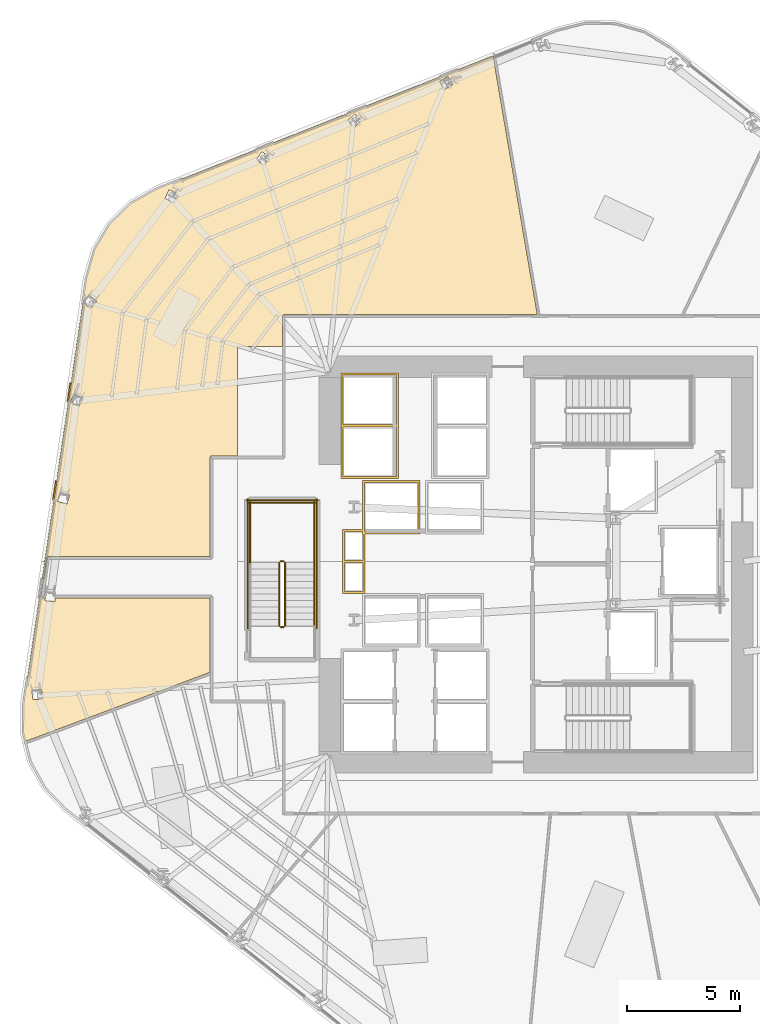
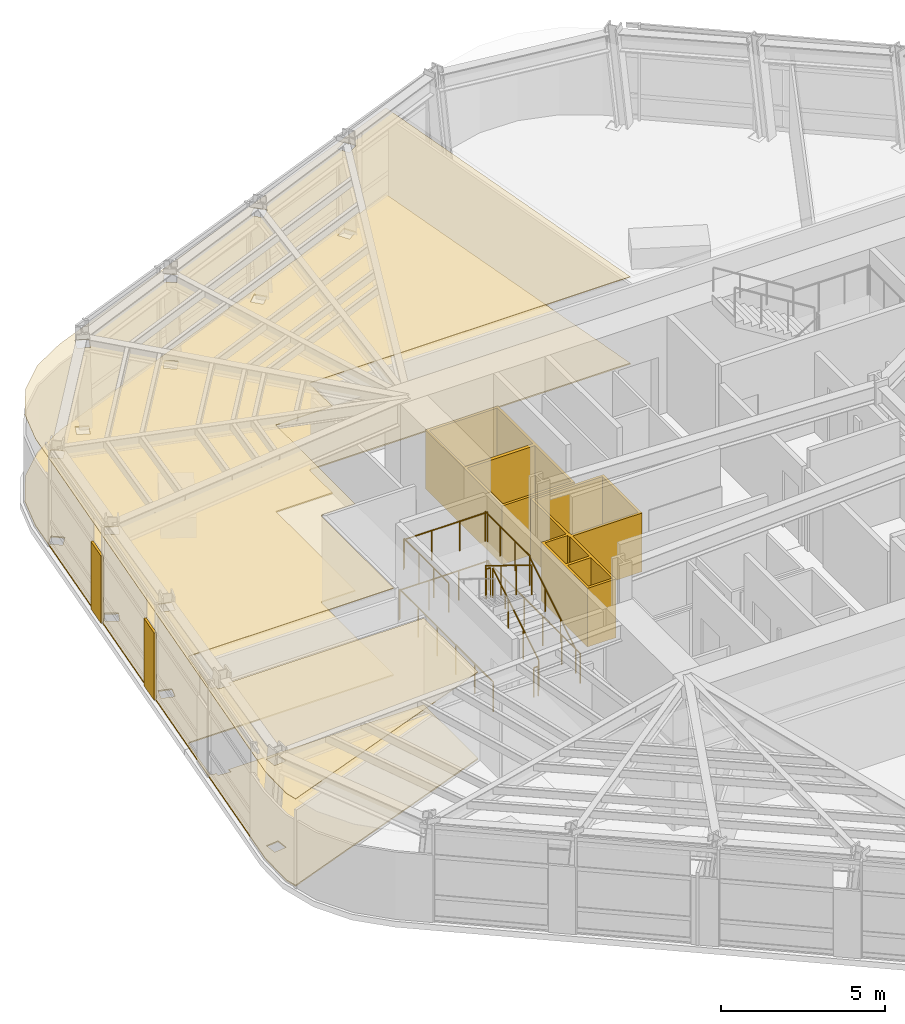
# One storey, part 12 of 17: 11 railings, 6 coverings.
"""IFC4 building model written with IfcOpenShell, lengths in metres."""

import ifcopenshell
import ifcopenshell.guid

model = None  # the IFC model being written
_history = None  # IfcOwnerHistory: only IFC2X3 demands one
_inside = {}  # id of a spatial element -> (the spatial element, [elements in it])
_under = {}  # id of a project, library or spatial element -> (it, [spatial elements below it])
_declared = {}  # id of a project -> (the project, [libraries it declares])
_typed = {}  # id of a type object -> (the type object, [elements of that type])
_made_of = {}  # id of a material, layer set ... -> (it, [elements and type objects made of it])


def new_model(schema):
    """Start an empty IFC model of exactly this schema.

    Asked for "IFC4X3", IfcOpenShell would pick the latest addendum, in which some entities
    have other attributes; the version numbers below select the first issue.
    IFC2X3 requires an IfcOwnerHistory on every rooted entity: one is made here for all.
    """
    global model, _history
    if schema == "IFC4X3":
        model = ifcopenshell.file(schema_version=(4, 3, 0, 0))
    else:
        model = ifcopenshell.file(schema=schema)
    _inside.clear()
    _under.clear()
    _declared.clear()
    _typed.clear()
    _made_of.clear()
    _history = None
    if model.schema == "IFC2X3":
        org = make("IfcOrganization", Name="unknown")
        user = make(
            "IfcPersonAndOrganization",
            ThePerson=make("IfcPerson", FamilyName="unknown"),
            TheOrganization=org,
        )
        app = make(
            "IfcApplication",
            ApplicationDeveloper=org,
            Version="unknown",
            ApplicationFullName="unknown",
            ApplicationIdentifier="unknown",
        )
        _history = make(
            "IfcOwnerHistory",
            OwningUser=user,
            OwningApplication=app,
            ChangeAction="ADDED",
            CreationDate=0,
        )
    return model


def make(cls, **values):
    """One entity of the class cls with the attributes given. An attribute that is None is left unset."""
    return model.create_entity(
        cls, **{name: value for name, value in values.items() if value is not None}
    )


def rooted(cls, **values):
    """An entity with a GlobalId (a new one), such as an element, a storey or a relation."""
    return make(cls, GlobalId=ifcopenshell.guid.new(), OwnerHistory=_history, **values)


def si_unit(unit_type, name, prefix=None):
    """IfcSIUnit, for example si_unit("LENGTHUNIT", "METRE", prefix="MILLI")."""
    return make("IfcSIUnit", UnitType=unit_type, Prefix=prefix, Name=name)


def assignment(units):
    """IfcUnitAssignment: the units of a project."""
    return None if units is None else make("IfcUnitAssignment", Units=units)


def point(xyz):
    """IfcCartesianPoint."""
    return None if xyz is None else make("IfcCartesianPoint", Coordinates=xyz)


def direction(xyz):
    """IfcDirection."""
    return None if xyz is None else make("IfcDirection", DirectionRatios=xyz)


def frame(location, z_axis=None, x_axis=None):
    """IfcAxis2Placement3D, a coordinate frame: its origin and axes. An axis left out is left unset."""
    return make(
        "IfcAxis2Placement3D",
        Location=point(location),
        Axis=direction(z_axis),
        RefDirection=direction(x_axis),
    )


def frame_2d(location, x_axis=None):
    """IfcAxis2Placement2D, a coordinate frame in the plane: its origin and x axis."""
    return make(
        "IfcAxis2Placement2D", Location=point(location), RefDirection=direction(x_axis)
    )


def origin():
    """The frame at (0, 0, 0) with its axes left unset."""
    return frame((0.0, 0.0, 0.0))


def origin_2d():
    """The frame at (0, 0) in the plane with its x axis left unset."""
    return frame_2d((0.0, 0.0))


def place(relative_to, where):
    """IfcLocalPlacement: puts the frame where relative to a parent placement (None: the world)."""
    return make(
        "IfcLocalPlacement", PlacementRelTo=relative_to, RelativePlacement=where
    )


def context(
    kind, dimensions, precision=None, world=None, true_north=None, identifier=None
):
    """IfcGeometricRepresentationContext, for example the 3D "Model" context."""
    return make(
        "IfcGeometricRepresentationContext",
        ContextIdentifier=identifier,
        ContextType=kind,
        CoordinateSpaceDimension=dimensions,
        Precision=precision,
        WorldCoordinateSystem=world,
        TrueNorth=true_north,
    )


def subcontext(parent, identifier, kind, view, scale=None):
    """IfcGeometricRepresentationSubContext, for example "Body" below "Model"."""
    return make(
        "IfcGeometricRepresentationSubContext",
        ContextIdentifier=identifier,
        ContextType=kind,
        ParentContext=parent,
        TargetScale=scale,
        TargetView=view,
    )


def project(units=None, contexts=None):
    """IfcProject with its units and contexts."""
    return rooted(
        "IfcProject",
        Name="project",
        RepresentationContexts=contexts,
        UnitsInContext=assignment(units),
    )


def spatial(cls, under=None, at=None, **own):
    """A site, building, storey or space (cls), placed at a placement, below another one or the project."""
    s = rooted(cls, ObjectPlacement=at, **own)
    if under is not None:
        _under.setdefault(under.id(), (under, []))[1].append(s)
    return s


def polyline(points):
    """IfcPolyline through the points."""
    return make("IfcPolyline", Points=[point(p) for p in points])


def profile(cls, at=None, kind="AREA", **sizes):
    """A parametric profile (cls). Its sizes go by their IFC names, for example OverallWidth=200.0."""
    return make(cls, ProfileType=kind, Position=at, **sizes)


def circle(**sizes):
    """IfcCircleProfileDef."""
    return profile("IfcCircleProfileDef", **sizes)


def outline(outer, holes=None, kind="AREA"):
    """IfcArbitraryClosedProfileDef: a profile drawn as a closed curve; with holes, ...WithVoids."""
    if holes is None:
        return make("IfcArbitraryClosedProfileDef", ProfileType=kind, OuterCurve=outer)
    return make(
        "IfcArbitraryProfileDefWithVoids",
        ProfileType=kind,
        OuterCurve=outer,
        InnerCurves=holes,
    )


def extrude(swept, where, along, depth):
    """IfcExtrudedAreaSolid: the profile swept, set in the frame where, extruded along a direction by depth."""
    return make(
        "IfcExtrudedAreaSolid",
        SweptArea=swept,
        Position=where,
        ExtrudedDirection=direction(along),
        Depth=depth,
    )


def shape(context_of_items, identifier, shape_type, items):
    """IfcShapeRepresentation: the items that make up one representation, for example the "Body"."""
    return make(
        "IfcShapeRepresentation",
        ContextOfItems=context_of_items,
        RepresentationIdentifier=identifier,
        RepresentationType=shape_type,
        Items=items,
    )


def material(Name=None, Category=None):
    """IfcMaterial."""
    return make("IfcMaterial", Name=Name, Category=Category)


def layer(
    of_material, thickness, ventilated=None, Name=None, Category=None, Priority=None
):
    """IfcMaterialLayer: one layer of a wall or slab, of a material (None: an air gap)."""
    return make(
        "IfcMaterialLayer",
        Material=of_material,
        LayerThickness=thickness,
        IsVentilated=ventilated,
        Name=Name,
        Category=Category,
        Priority=Priority,
    )


def layer_set(layers, Name=None):
    """IfcMaterialLayerSet."""
    return make("IfcMaterialLayerSet", MaterialLayers=layers, LayerSetName=Name)


def made_of(thing, what):
    """Note that an element or type object is made of a material, layer set ...; save() writes the relation."""
    if what is not None:
        _made_of.setdefault(what.id(), (what, []))[1].append(thing)
    return thing


def type_object(cls, material=None, **own):
    """A type object (cls), such as IfcWallType, which elements share."""
    return made_of(rooted(cls, **own), material)


def element(
    cls,
    number,
    at=None,
    inside=None,
    cuts=None,
    type_object=None,
    material=None,
    context=None,
    identifier="Body",
    shape_type=None,
    held_by="IfcProductDefinitionShape",
    body=None,
    shapes=None,
    **own,
):
    """One element of the class cls, such as IfcWall. Its Tag is "e" and its number.

    at: its placement. inside: the storey or other place that contains it. cuts: it is an
    opening in that element (IfcRelVoidsElement). A single representation is given by context,
    identifier, shape_type and body (its items); several are given by shapes. held_by: the class
    of the entity that holds the representations. save() writes the other relations.
    """
    e = rooted(cls, Tag="e%d" % number, ObjectPlacement=at, **own)
    if body is not None:
        shapes = [shape(context, identifier, shape_type, body)]
    if shapes is not None:
        e.Representation = make(held_by, Representations=shapes)
    if inside is not None:
        _inside.setdefault(inside.id(), (inside, []))[1].append(e)
    if cuts is not None:
        rooted(
            "IfcRelVoidsElement", RelatingBuildingElement=cuts, RelatedOpeningElement=e
        )
    if type_object is not None:
        _typed.setdefault(type_object.id(), (type_object, []))[1].append(e)
    return made_of(e, material)


def aggregate(whole, parts):
    """IfcRelAggregates: a whole, such as a stair, and the parts it consists of."""
    return rooted("IfcRelAggregates", RelatingObject=whole, RelatedObjects=parts)


def save(model, path):
    """Write the relations noted so far, then the file.

    IfcRelAggregates (storeys below a building ...), IfcRelContainedInSpatialStructure (elements
    in a storey), IfcRelDefinesByType, IfcRelAssociatesMaterial and IfcRelDeclares: one each for
    every whole, place, type object, material and project.
    """
    for whole, parts in _under.values():
        aggregate(whole, parts)
    for where, things in _inside.values():
        rooted(
            "IfcRelContainedInSpatialStructure",
            RelatedElements=things,
            RelatingStructure=where,
        )
    for kind, things in _typed.values():
        rooted("IfcRelDefinesByType", RelatedObjects=things, RelatingType=kind)
    for what, things in _made_of.values():
        rooted("IfcRelAssociatesMaterial", RelatedObjects=things, RelatingMaterial=what)
    for by, libraries in _declared.values():
        rooted("IfcRelDeclares", RelatingContext=by, RelatedDefinitions=libraries)
    model.write(path)


model = new_model("IFC4")

# Units and contexts
model_context = context("Model", 3, precision=1e-05, world=origin(), true_north=direction((0.0, 1.0)))
body_context = subcontext(model_context, "Body", "Model", "MODEL_VIEW")
ifc_project = project(units=[si_unit("LENGTHUNIT", "METRE"), si_unit("AREAUNIT", "SQUARE_METRE"), si_unit("VOLUMEUNIT", "CUBIC_METRE"), si_unit("PLANEANGLEUNIT", "RADIAN"), si_unit("MASSUNIT", "GRAM", prefix="KILO")], contexts=[model_context])

# Site, building, storey
site_placement = place(None, origin())
site = spatial("IfcSite", under=ifc_project, at=site_placement, CompositionType="ELEMENT")
building_placement = place(site_placement, origin())
building = spatial("IfcBuilding", under=site, at=building_placement, Name="Valkerne Bourse Tower", CompositionType="ELEMENT")
storey_placement = place(building_placement, frame((0.0, 0.0, 116.199951171875)))
storey = spatial("IfcBuildingStorey", under=building, at=storey_placement, Name="L29", CompositionType="ELEMENT", Elevation=116.199951171875)

# Coverings
ifc_material_1 = material(Name="Mineral Fiber Acoustic Ceiling Tile", Category="acoustic")
ifc_layer_1 = layer(ifc_material_1, 0.02490234375)
ifc_layer_set_1 = layer_set([ifc_layer_1], Name="Mineral Fiber Acoustic Ceiling Tile")
covering_type_1 = type_object("IfcCoveringType", Name="COV-CEIL-ACT", PredefinedType="CEILING", material=ifc_layer_set_1)
covering_1_placement = place(storey_placement, frame((0.0, 0.0, 3.22998046875)))
element("IfcCovering", 1, at=covering_1_placement, inside=storey, type_object=covering_type_1, Name="L29 Suspended Ceiling 11", PredefinedType="CEILING", context=body_context, shape_type="SweptSolid", body=[
    extrude(outline(polyline([(26.91015625, 39.5283203125), (27.2744140625, 40.806396484375), (27.951904296875, 41.938720703125), (28.8994140625, 42.857177734375), (30.060791015625, 43.50341796875), (44.90283203125, 49.3798828125), (46.86181640625, 37.9189453125), (35.6494140625, 37.9189453125), (35.6083984375, 37.9052734375), (35.587890625, 37.8798828125), (35.5810546875, 37.8505859375), (35.5810546875, 36.5), (33.60009765625, 36.5), (33.60009765625, 31.6689453125), (32.449462890625, 31.6689453125), (32.419921875, 31.662109375), (32.39404296875, 31.640625), (32.381103515625, 31.6005859375), (32.381103515625, 27.218994140625), (25.218994140625, 27.218994140625), (25.175048828125, 27.202880859375), (25.15234375, 27.164306640625), (24.900146484375, 25.45654296875), (24.912353515625, 25.409912109375), (24.951904296875, 25.383056640625), (25.061767578125, 25.3828125), (25.08642578125, 25.39404296875), (25.09619140625, 25.405029296875), (25.085205078125, 25.267822265625), (25.085205078125, 25.2646484375), (25.51611328125, 25.230224609375), (25.5283203125, 25.382080078125), (25.531005859375, 25.381103515625), (32.381103515625, 25.381103515625), (32.381103515625, 22.094970703125), (24.214111328125, 19.03955078125), (24.1171875, 19.42626953125), (24.137939453125, 20.755126953125), (26.91015625, 39.5283203125)]), holes=[polyline([(24.92822265625, 21.340087890625), (24.92724609375, 21.343505859375), (24.497802734375, 21.296142578125), (24.54248046875, 20.883544921875), (24.54345703125, 20.88037109375), (24.972900390625, 20.927490234375), (24.92822265625, 21.340087890625)]), polyline([(26.1650390625, 29.93701171875), (26.16552734375, 29.940185546875), (25.750732421875, 30.0615234375), (25.633544921875, 29.6630859375), (25.63330078125, 29.659912109375), (26.048095703125, 29.53857421875), (26.1650390625, 29.93701171875)]), polyline([(26.7705078125, 34.22705078125), (26.38916015625, 34.430419921875), (26.193359375, 34.064208984375), (26.192138671875, 34.061279296875), (26.573486328125, 33.85791015625), (26.769287109375, 34.22412109375), (26.7705078125, 34.22705078125)]), polyline([(27.36279296875, 38.515380859375), (27.026611328125, 38.786865234375), (26.765380859375, 38.464111328125), (26.763916015625, 38.461181640625), (27.10009765625, 38.18994140625), (27.361083984375, 38.5126953125), (27.36279296875, 38.515380859375)]), polyline([(30.946533203125, 43.278564453125), (30.565673828125, 43.447021484375), (30.563232421875, 43.444580078125), (30.390380859375, 43.05029296875), (30.771240234375, 42.8818359375), (30.773681640625, 42.88427734375), (30.946533203125, 43.278564453125)]), polyline([(34.77197265625, 44.537353515625), (35.01611328125, 44.89208984375), (34.673583984375, 45.12939453125), (34.6708984375, 45.127685546875), (34.4267578125, 44.772705078125), (34.769287109375, 44.53564453125), (34.77197265625, 44.537353515625)]), polyline([(38.76416015625, 46.201416015625), (39.0751953125, 46.4990234375), (38.7880859375, 46.80078125), (38.78515625, 46.7998046875), (38.47412109375, 46.501953125), (38.76123046875, 46.2001953125), (38.76416015625, 46.201416015625)]), polyline([(43.121826171875, 48.10595703125), (42.902099609375, 48.4599609375), (42.89892578125, 48.45947265625), (42.53369140625, 48.231201171875), (42.75341796875, 47.877197265625), (42.756591796875, 47.877685546875), (43.121826171875, 48.10595703125)])]), origin(), (0.0, 0.0, 1.0), 0.025146484375),
])
ifc_material_2 = material(Name="Bronze Anodised Aluminium AA 6063-T6", Category="aluminium")
ifc_layer_2 = layer(ifc_material_2, 0.06005859375)
ifc_layer_set_2 = layer_set([ifc_layer_2], Name="Bronze Anodised Aluminium AA 6063-T6")
covering_type_2 = type_object("IfcCoveringType", Name="COV-CRN-ALUM", PredefinedType="CLADDING", material=ifc_layer_set_2)
covering_2_placement = place(storey_placement, origin())
element("IfcCovering", 2, at=covering_2_placement, inside=storey, type_object=covering_type_2, Name="L29 Wind-Shaped Corner Aluminium Cladding 11", PredefinedType="CLADDING", context=body_context, shape_type="SweptSolid", body=[
    extrude(outline(polyline([(25.5419921875, 30.563720703125), (25.62109375, 30.552001953125), (25.498291015625, 29.72119140625), (25.419189453125, 29.73291015625), (25.5419921875, 30.563720703125)])), origin(), (0.0, 0.0, 1.0), 2.5),
])
covering_3_placement = place(storey_placement, origin())
element("IfcCovering", 3, at=covering_3_placement, inside=storey, type_object=covering_type_2, Name="L29 Wind-Shaped Corner Aluminium Cladding 12", PredefinedType="CLADDING", context=body_context, shape_type="SweptSolid", body=[
    extrude(outline(polyline([(26.18212890625, 34.899658203125), (26.26123046875, 34.887939453125), (26.138671875, 34.056884765625), (26.0595703125, 34.068603515625), (26.18212890625, 34.899658203125)])), origin(), (0.0, 0.0, 1.0), 2.5),
])
ifc_material_3 = material(Name="Galvanised Painted Steel", Category="steel")
ifc_layer_3 = layer(ifc_material_3, 0.044921875)
ifc_layer_set_3 = layer_set([ifc_layer_3], Name="Galvanised Painted Steel")
covering_type_3 = type_object("IfcCoveringType", Name="COV-FLR-RAF", PredefinedType="FLOORING", material=ifc_layer_set_3)
covering_4_placement = place(storey_placement, origin())
element("IfcCovering", 4, at=covering_4_placement, inside=storey, type_object=covering_type_3, Name="L29 Floor Finish 11", PredefinedType="FLOORING", context=body_context, shape_type="SweptSolid", body=[
    extrude(outline(polyline([(26.91015625, 39.5283203125), (27.2744140625, 40.806396484375), (27.951904296875, 41.938720703125), (28.8994140625, 42.857177734375), (30.060791015625, 43.50341796875), (44.90283203125, 49.3798828125), (46.86181640625, 37.9189453125), (35.6494140625, 37.9189453125), (35.6083984375, 37.9052734375), (35.587890625, 37.8798828125), (35.5810546875, 37.8505859375), (35.5810546875, 36.5), (33.60009765625, 36.5), (33.60009765625, 31.6689453125), (32.449462890625, 31.6689453125), (32.419921875, 31.662109375), (32.39404296875, 31.640625), (32.381103515625, 31.6005859375), (32.381103515625, 27.218994140625), (25.218994140625, 27.218994140625), (25.175048828125, 27.202880859375), (25.15234375, 27.164306640625), (24.900146484375, 25.45654296875), (24.912353515625, 25.409912109375), (24.951904296875, 25.383056640625), (25.061767578125, 25.3828125), (25.08642578125, 25.39404296875), (25.09619140625, 25.405029296875), (25.085205078125, 25.267822265625), (25.085205078125, 25.2646484375), (25.51611328125, 25.230224609375), (25.5283203125, 25.382080078125), (25.531005859375, 25.381103515625), (32.381103515625, 25.381103515625), (32.381103515625, 22.094970703125), (24.214111328125, 19.03955078125), (24.1171875, 19.42626953125), (24.137939453125, 20.755126953125), (26.91015625, 39.5283203125)]), holes=[polyline([(24.92822265625, 21.340087890625), (24.92724609375, 21.343505859375), (24.497802734375, 21.296142578125), (24.54248046875, 20.883544921875), (24.54345703125, 20.88037109375), (24.972900390625, 20.927490234375), (24.92822265625, 21.340087890625)]), polyline([(26.1650390625, 29.93701171875), (26.16552734375, 29.940185546875), (25.750732421875, 30.0615234375), (25.633544921875, 29.6630859375), (25.63330078125, 29.659912109375), (26.048095703125, 29.53857421875), (26.1650390625, 29.93701171875)]), polyline([(26.7705078125, 34.22705078125), (26.38916015625, 34.430419921875), (26.193359375, 34.064208984375), (26.192138671875, 34.061279296875), (26.573486328125, 33.85791015625), (26.769287109375, 34.22412109375), (26.7705078125, 34.22705078125)]), polyline([(27.36279296875, 38.515380859375), (27.026611328125, 38.786865234375), (26.765380859375, 38.464111328125), (26.763916015625, 38.461181640625), (27.10009765625, 38.18994140625), (27.361083984375, 38.5126953125), (27.36279296875, 38.515380859375)]), polyline([(30.946533203125, 43.278564453125), (30.565673828125, 43.447021484375), (30.563232421875, 43.444580078125), (30.390380859375, 43.05029296875), (30.771240234375, 42.8818359375), (30.773681640625, 42.88427734375), (30.946533203125, 43.278564453125)]), polyline([(34.77197265625, 44.537353515625), (35.01611328125, 44.89208984375), (34.673583984375, 45.12939453125), (34.6708984375, 45.127685546875), (34.4267578125, 44.772705078125), (34.769287109375, 44.53564453125), (34.77197265625, 44.537353515625)]), polyline([(38.76416015625, 46.201416015625), (39.0751953125, 46.4990234375), (38.7880859375, 46.80078125), (38.78515625, 46.7998046875), (38.47412109375, 46.501953125), (38.76123046875, 46.2001953125), (38.76416015625, 46.201416015625)]), polyline([(43.121826171875, 48.10595703125), (42.902099609375, 48.4599609375), (42.89892578125, 48.45947265625), (42.53369140625, 48.231201171875), (42.75341796875, 47.877197265625), (42.756591796875, 47.877685546875), (43.121826171875, 48.10595703125)])]), origin(), (0.0, 0.0, 1.0), 0.045166015625),
])
ifc_material_4 = material(Name="Gypsum Shaftwall Liner Board", Category="gypsum")
ifc_layer_4 = layer(ifc_material_4, 0.080078125)
ifc_layer_set_4 = layer_set([ifc_layer_4], Name="Gypsum Shaftwall Liner Board")
covering_type_4 = type_object("IfcCoveringType", Name="COV-SHF-CLAD", PredefinedType="CLADDING", material=ifc_layer_set_4)
covering_5_placement = place(storey_placement, origin())
element("IfcCovering", 5, at=covering_5_placement, inside=storey, type_object=covering_type_4, Name="L29 Hoistway & Riser Shaftwall Liner 04", PredefinedType="CLADDING", context=body_context, shape_type="SweptSolid", body=[
    extrude(outline(polyline([(38.239990234375, 28.409912109375), (39.1201171875, 28.409912109375), (39.1201171875, 30.580078125), (41.679931640625, 30.580078125), (41.679931640625, 28.219970703125), (39.239990234375, 28.219970703125), (39.239990234375, 27.0400390625), (39.239990234375, 26.9599609375), (39.239990234375, 25.590087890625), (38.239990234375, 25.590087890625), (38.239990234375, 26.9599609375), (38.239990234375, 27.0400390625), (38.239990234375, 28.409912109375)]), holes=[polyline([(39.2099609375, 30.489990234375), (39.2099609375, 28.409912109375), (39.239990234375, 28.409912109375), (39.239990234375, 28.31005859375), (41.590087890625, 28.31005859375), (41.590087890625, 30.489990234375), (39.2099609375, 30.489990234375)]), polyline([(38.330078125, 26.949951171875), (38.330078125, 25.679931640625), (39.14990234375, 25.679931640625), (39.14990234375, 26.949951171875), (38.330078125, 26.949951171875)]), polyline([(39.1201171875, 28.219970703125), (39.1201171875, 28.320068359375), (38.330078125, 28.320068359375), (38.330078125, 27.050048828125), (39.14990234375, 27.050048828125), (39.14990234375, 28.219970703125), (39.1201171875, 28.219970703125)])]), origin(), (0.0, 0.0, 1.0), 2.179931640625),
])
covering_6_placement = place(storey_placement, origin())
element("IfcCovering", 6, at=covering_6_placement, inside=storey, type_object=covering_type_4, Name="L29 Hoistway & Riser Shaftwall Liner 05", PredefinedType="CLADDING", context=body_context, shape_type="SweptSolid", body=[
    extrude(outline(polyline([(38.169921875, 35.330078125), (40.72998046875, 35.330078125), (40.72998046875, 33.030029296875), (40.72998046875, 32.969970703125), (40.72998046875, 30.669921875), (38.169921875, 30.669921875), (38.169921875, 32.969970703125), (38.169921875, 33.030029296875), (38.169921875, 35.330078125)]), holes=[polyline([(38.260009765625, 32.93994140625), (38.260009765625, 30.760009765625), (40.639892578125, 30.760009765625), (40.639892578125, 32.93994140625), (38.260009765625, 32.93994140625)]), polyline([(38.260009765625, 35.239990234375), (38.260009765625, 33.06005859375), (40.639892578125, 33.06005859375), (40.639892578125, 35.239990234375), (38.260009765625, 35.239990234375)])]), origin(), (0.0, 0.0, 1.0), 2.179931640625),
])

# Railings
railing_type_1 = type_object("IfcRailingType", Name="RLG-ST-GUARD-1120", PredefinedType="GUARDRAIL", material=ifc_material_3)
railing_1_placement = place(storey_placement, frame((35.699951171875, 24.14990234375, 0.1728515625)))
element("IfcRailing", 7, at=railing_1_placement, inside=storey, type_object=railing_type_1, Name="L29 ST-3 stair guard 1", PredefinedType="GUARDRAIL", context=body_context, shape_type="SweptSolid", body=[
    extrude(circle(Radius=0.02392578125, at=origin_2d()), frame((0.0, 0.0, 1.09619140625), z_axis=(0.0, 0.851089632645, 0.525020415988), x_axis=(-1.0, 0.0, 0.0)), (0.0, 0.0, 1.0), 3.2900390625),
    extrude(circle(Radius=0.02099609375, at=origin_2d()), origin(), (0.0, 0.0, 1.0), 1.072021484375),
    extrude(circle(Radius=0.02099609375, at=origin_2d()), frame((0.0, 0.933349609375, 0.57568359375)), (0.0, 0.0, 1.0), 1.072021484375),
    extrude(circle(Radius=0.02099609375, at=origin_2d()), frame((0.0, 1.86669921875, 1.151611328125)), (0.0, 0.0, 1.0), 1.072021484375),
    extrude(circle(Radius=0.02099609375, at=origin_2d()), frame((0.0, 2.800048828125, 1.727294921875)), (0.0, 0.0, 1.0), 1.072021484375),
])
railing_2_placement = place(storey_placement, frame((35.64990234375, 27.0, 1.900146484375)))
element("IfcRailing", 8, at=railing_2_placement, inside=storey, type_object=railing_type_1, Name="L29 ST-3 stair guard 2", PredefinedType="GUARDRAIL", context=body_context, shape_type="SweptSolid", body=[
    extrude(circle(Radius=0.02392578125, at=origin_2d()), frame((0.0, 0.0, 1.09619140625), z_axis=(-1.0, 0.0, 0.0), x_axis=(0.0, -1.0, 0.0)), (0.0, 0.0, 1.0), 0.14990234375),
    extrude(circle(Radius=0.02099609375, at=origin_2d()), origin(), (0.0, 0.0, 1.0), 1.072021484375),
    extrude(circle(Radius=0.02099609375, at=origin_2d()), frame((-0.14990234375, 0.0, 0.0)), (0.0, 0.0, 1.0), 1.072021484375),
])
for number, where, name in (
    (9, (37.0, 26.949951171875, 1.900146484375), "L29 ST-3 stair guard 3"),
    (10, (34.14990234375, 26.949951171875, 1.900146484375), "L29 ST-3 stair guard 4"),
):
    element("IfcRailing", number, at=place(storey_placement, frame(where)), inside=storey, type_object=railing_type_1, Name=name, PredefinedType="GUARDRAIL", context=body_context, shape_type="SweptSolid", body=[
        extrude(circle(Radius=0.02392578125, at=origin_2d()), frame((0.0, 0.0, 1.09619140625), z_axis=(0.0, 1.0, 0.0), x_axis=(-1.0, 0.0, 0.0)), (0.0, 0.0, 1.0), 2.699951171875),
        extrude(circle(Radius=0.02099609375, at=origin_2d()), origin(), (0.0, 0.0, 1.0), 1.072021484375),
        extrude(circle(Radius=0.02099609375, at=origin_2d()), frame((0.0, 0.89990234375, 0.0)), (0.0, 0.0, 1.0), 1.072021484375),
        extrude(circle(Radius=0.02099609375, at=origin_2d()), frame((0.0, 1.800048828125, 0.0)), (0.0, 0.0, 1.0), 1.072021484375),
        extrude(circle(Radius=0.02099609375, at=origin_2d()), frame((0.0, 2.699951171875, 0.0)), (0.0, 0.0, 1.0), 1.072021484375),
    ])
railing_3_placement = place(storey_placement, frame((37.050048828125, 29.60009765625, 1.900146484375)))
element("IfcRailing", 11, at=railing_3_placement, inside=storey, type_object=railing_type_1, Name="L29 ST-3 stair guard 5", PredefinedType="GUARDRAIL", context=body_context, shape_type="SweptSolid", body=[
    extrude(circle(Radius=0.02392578125, at=origin_2d()), frame((0.0, 0.0, 1.09619140625), z_axis=(-1.0, 0.0, 0.0), x_axis=(0.0, -1.0, 0.0)), (0.0, 0.0, 1.0), 2.949951171875),
    extrude(circle(Radius=0.02099609375, at=origin_2d()), origin(), (0.0, 0.0, 1.0), 1.072021484375),
    extrude(circle(Radius=0.02099609375, at=origin_2d()), frame((-0.9833984375, 0.0, 0.0)), (0.0, 0.0, 1.0), 1.072021484375),
    extrude(circle(Radius=0.02099609375, at=origin_2d()), frame((-1.966552734375, 0.0, 0.0)), (0.0, 0.0, 1.0), 1.072021484375),
    extrude(circle(Radius=0.02099609375, at=origin_2d()), frame((-2.949951171875, 0.0, 0.0)), (0.0, 0.0, 1.0), 1.072021484375),
])
railing_4_placement = place(storey_placement, frame((35.449951171875, 26.949951171875, 2.07275390625)))
element("IfcRailing", 12, at=railing_4_placement, inside=storey, type_object=railing_type_1, Name="L29 ST-3 stair guard 6", PredefinedType="GUARDRAIL", context=body_context, shape_type="SweptSolid", body=[
    extrude(circle(Radius=0.02392578125, at=origin_2d()), frame((0.0, 0.0, 1.09619140625), z_axis=(0.0, -0.851089632645, 0.525020415988), x_axis=(1.0, 0.0, 0.0)), (0.0, 0.0, 1.0), 3.2900390625),
    extrude(circle(Radius=0.02099609375, at=origin_2d()), origin(), (0.0, 0.0, 1.0), 1.072021484375),
    extrude(circle(Radius=0.02099609375, at=origin_2d()), frame((0.0, -0.933349609375, 0.57568359375)), (0.0, 0.0, 1.0), 1.072021484375),
    extrude(circle(Radius=0.02099609375, at=origin_2d()), frame((0.0, -1.86669921875, 1.151611328125)), (0.0, 0.0, 1.0), 1.072021484375),
    extrude(circle(Radius=0.02099609375, at=origin_2d()), frame((0.0, -2.800048828125, 1.727294921875)), (0.0, 0.0, 1.0), 1.072021484375),
])
railing_5_placement = place(storey_placement, frame((35.64990234375, 24.10009765625, 0.0)))
element("IfcRailing", 13, at=railing_5_placement, inside=storey, type_object=railing_type_1, Name="L29 ST-3 stair guard 7", PredefinedType="GUARDRAIL", context=body_context, shape_type="SweptSolid", body=[
    extrude(circle(Radius=0.02392578125, at=origin_2d()), frame((0.0, 0.0, 1.09619140625), z_axis=(-1.0, 0.0, 0.0), x_axis=(0.0, -1.0, 0.0)), (0.0, 0.0, 1.0), 0.14990234375),
    extrude(circle(Radius=0.02099609375, at=origin_2d()), origin(), (0.0, 0.0, 1.0), 1.072021484375),
    extrude(circle(Radius=0.02099609375, at=origin_2d()), frame((-0.14990234375, 0.0, 0.0)), (0.0, 0.0, 1.0), 1.072021484375),
])
for number, where, name in (
    (14, (37.10009765625, 24.050048828125, 0.0), "L29 ST-3 stair guard 10"),
    (15, (34.050048828125, 24.050048828125, 0.0), "L29 ST-3 stair guard 11"),
):
    element("IfcRailing", number, at=place(storey_placement, frame(where)), inside=storey, type_object=railing_type_1, Name=name, PredefinedType="GUARDRAIL", context=body_context, shape_type="SweptSolid", body=[
        extrude(circle(Radius=0.02392578125, at=origin_2d()), frame((0.0, 0.0, 1.09619140625), z_axis=(0.0, 1.0, 0.0), x_axis=(-1.0, 0.0, 0.0)), (0.0, 0.0, 1.0), 5.699951171875),
        extrude(circle(Radius=0.02099609375, at=origin_2d()), origin(), (0.0, 0.0, 1.0), 1.072021484375),
        extrude(circle(Radius=0.02099609375, at=origin_2d()), frame((0.0, 1.139892578125, 0.0)), (0.0, 0.0, 1.0), 1.072021484375),
        extrude(circle(Radius=0.02099609375, at=origin_2d()), frame((0.0, 2.280029296875, 0.0)), (0.0, 0.0, 1.0), 1.072021484375),
        extrude(circle(Radius=0.02099609375, at=origin_2d()), frame((0.0, 3.419921875, 0.0)), (0.0, 0.0, 1.0), 1.072021484375),
        extrude(circle(Radius=0.02099609375, at=origin_2d()), frame((0.0, 4.56005859375, 0.0)), (0.0, 0.0, 1.0), 1.072021484375),
        extrude(circle(Radius=0.02099609375, at=origin_2d()), frame((0.0, 5.699951171875, 0.0)), (0.0, 0.0, 1.0), 1.072021484375),
    ])
railing_6_placement = place(storey_placement, frame((37.14990234375, 29.699951171875, 0.0)))
element("IfcRailing", 16, at=railing_6_placement, inside=storey, type_object=railing_type_1, Name="L29 ST-3 stair guard 12", PredefinedType="GUARDRAIL", context=body_context, shape_type="SweptSolid", body=[
    extrude(circle(Radius=0.02392578125, at=origin_2d()), frame((0.0, 0.0, 1.09619140625), z_axis=(-1.0, 0.0, 0.0), x_axis=(0.0, -1.0, 0.0)), (0.0, 0.0, 1.0), 3.14990234375),
    extrude(circle(Radius=0.02099609375, at=origin_2d()), origin(), (0.0, 0.0, 1.0), 1.072021484375),
    extrude(circle(Radius=0.02099609375, at=origin_2d()), frame((-1.050048828125, 0.0, 0.0)), (0.0, 0.0, 1.0), 1.072021484375),
    extrude(circle(Radius=0.02099609375, at=origin_2d()), frame((-2.099853515625, 0.0, 0.0)), (0.0, 0.0, 1.0), 1.072021484375),
    extrude(circle(Radius=0.02099609375, at=origin_2d()), frame((-3.14990234375, 0.0, 0.0)), (0.0, 0.0, 1.0), 1.072021484375),
])
ifc_material_5 = material(Name="Stainless Steel AISI 316", Category="steel")
railing_type_2 = type_object("IfcRailingType", Name="RLG-ST-HANDRAIL-900", PredefinedType="HANDRAIL", material=ifc_material_5)
railing_7_placement = place(storey_placement, frame((37.0, 24.14990234375, 0.345458984375)))
element("IfcRailing", 17, at=railing_7_placement, inside=storey, type_object=railing_type_2, Name="L29 ST-3 stair handrail 1", PredefinedType="HANDRAIL", context=body_context, shape_type="SweptSolid", body=[
    extrude(circle(Radius=0.02392578125, at=origin_2d()), frame((0.0, 0.0, 0.8759765625), z_axis=(0.0, 0.851089632645, 0.525020415988), x_axis=(-1.0, 0.0, 0.0)), (0.0, 0.0, 1.0), 3.2900390625),
    extrude(circle(Radius=0.02099609375, at=origin_2d()), origin(), (0.0, 0.0, 1.0), 0.851806640625),
    extrude(circle(Radius=0.02099609375, at=origin_2d()), frame((0.0, 0.933349609375, 0.57568359375)), (0.0, 0.0, 1.0), 0.851806640625),
    extrude(circle(Radius=0.02099609375, at=origin_2d()), frame((0.0, 1.86669921875, 1.151611328125)), (0.0, 0.0, 1.0), 0.851806640625),
    extrude(circle(Radius=0.02099609375, at=origin_2d()), frame((0.0, 2.800048828125, 1.727294921875)), (0.0, 0.0, 1.0), 0.851806640625),
])

save(model, "model.ifc")
